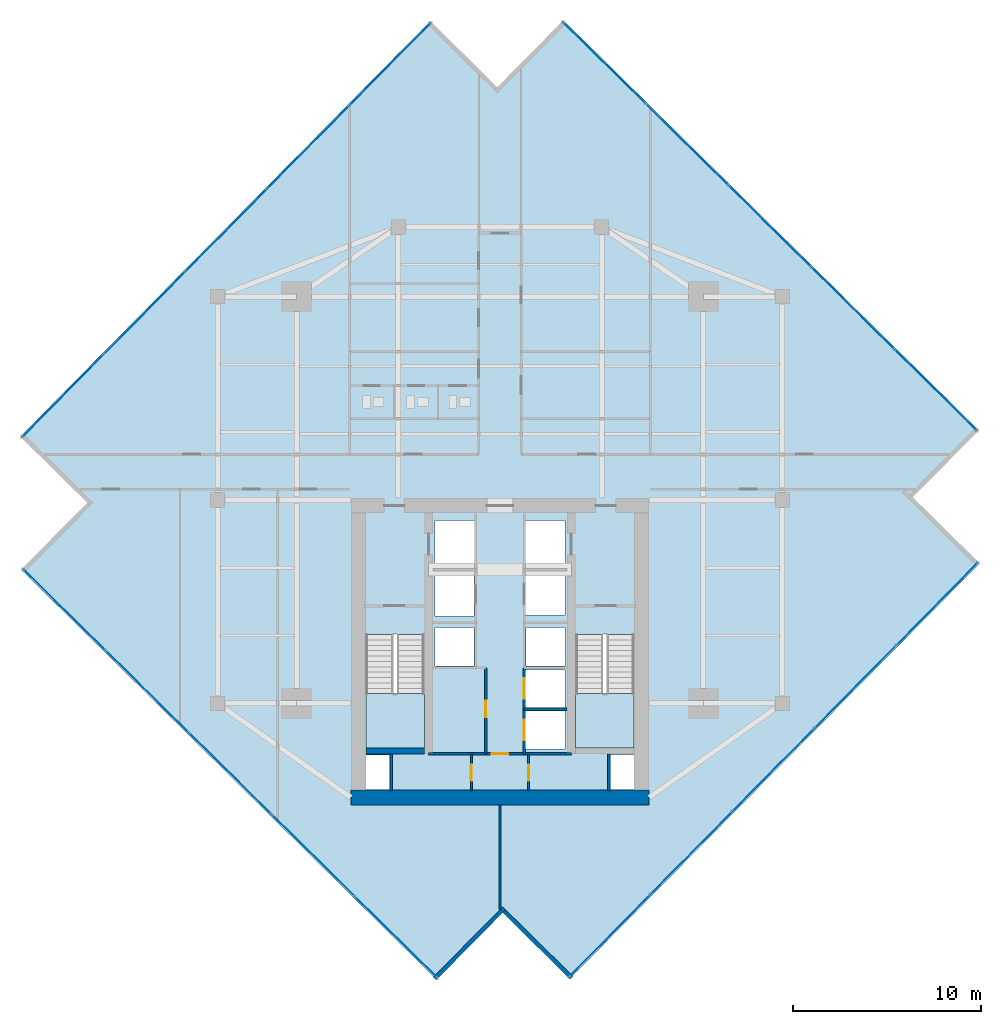
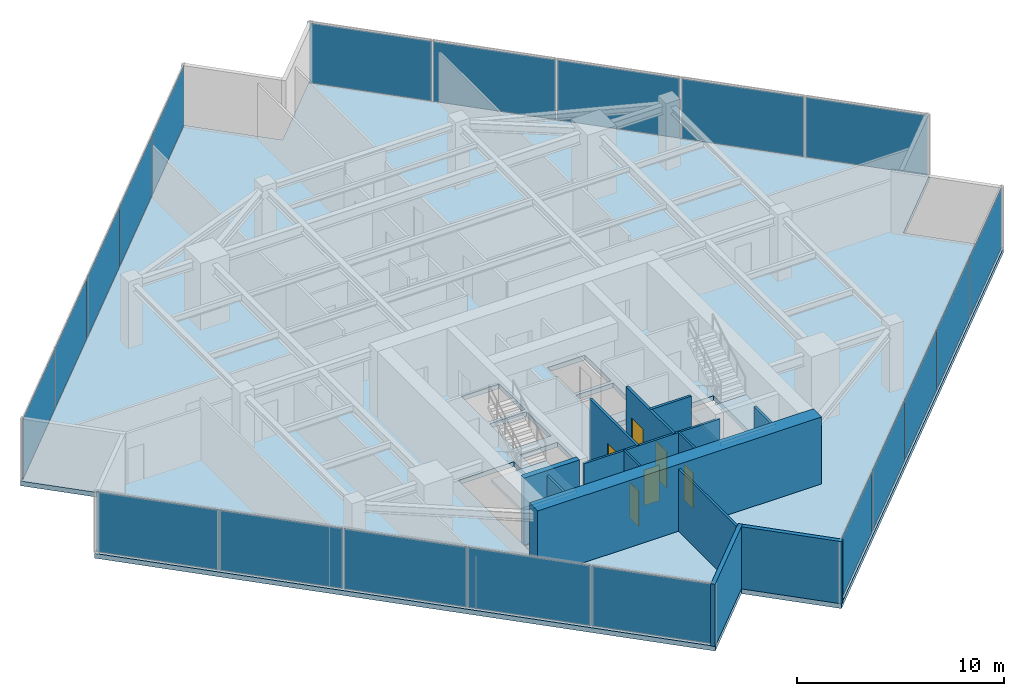
# One storey, part 20 of 24: 20 plates, 13 walls, 6 doors, 3 slabs, 6 openings, 6 elements without a shape of their own.
"""IFC4 building model written with IfcOpenShell, lengths in metres."""

import ifcopenshell
import ifcopenshell.guid

model = None  # the IFC model being written
_history = None  # IfcOwnerHistory: only IFC2X3 demands one
_inside = {}  # id of a spatial element -> (the spatial element, [elements in it])
_under = {}  # id of a project, library or spatial element -> (it, [spatial elements below it])
_declared = {}  # id of a project -> (the project, [libraries it declares])
_typed = {}  # id of a type object -> (the type object, [elements of that type])
_made_of = {}  # id of a material, layer set ... -> (it, [elements and type objects made of it])


def new_model(schema):
    """Start an empty IFC model of exactly this schema.

    Asked for "IFC4X3", IfcOpenShell would pick the latest addendum, in which some entities
    have other attributes; the version numbers below select the first issue.
    IFC2X3 requires an IfcOwnerHistory on every rooted entity: one is made here for all.
    """
    global model, _history
    if schema == "IFC4X3":
        model = ifcopenshell.file(schema_version=(4, 3, 0, 0))
    else:
        model = ifcopenshell.file(schema=schema)
    _inside.clear()
    _under.clear()
    _declared.clear()
    _typed.clear()
    _made_of.clear()
    _history = None
    if model.schema == "IFC2X3":
        org = make("IfcOrganization", Name="unknown")
        user = make(
            "IfcPersonAndOrganization",
            ThePerson=make("IfcPerson", FamilyName="unknown"),
            TheOrganization=org,
        )
        app = make(
            "IfcApplication",
            ApplicationDeveloper=org,
            Version="unknown",
            ApplicationFullName="unknown",
            ApplicationIdentifier="unknown",
        )
        _history = make(
            "IfcOwnerHistory",
            OwningUser=user,
            OwningApplication=app,
            ChangeAction="ADDED",
            CreationDate=0,
        )
    return model


def make(cls, **values):
    """One entity of the class cls with the attributes given. An attribute that is None is left unset."""
    return model.create_entity(
        cls, **{name: value for name, value in values.items() if value is not None}
    )


def rooted(cls, **values):
    """An entity with a GlobalId (a new one), such as an element, a storey or a relation."""
    return make(cls, GlobalId=ifcopenshell.guid.new(), OwnerHistory=_history, **values)


def si_unit(unit_type, name, prefix=None):
    """IfcSIUnit, for example si_unit("LENGTHUNIT", "METRE", prefix="MILLI")."""
    return make("IfcSIUnit", UnitType=unit_type, Prefix=prefix, Name=name)


def assignment(units):
    """IfcUnitAssignment: the units of a project."""
    return None if units is None else make("IfcUnitAssignment", Units=units)


def point(xyz):
    """IfcCartesianPoint."""
    return None if xyz is None else make("IfcCartesianPoint", Coordinates=xyz)


def direction(xyz):
    """IfcDirection."""
    return None if xyz is None else make("IfcDirection", DirectionRatios=xyz)


def frame(location, z_axis=None, x_axis=None):
    """IfcAxis2Placement3D, a coordinate frame: its origin and axes. An axis left out is left unset."""
    return make(
        "IfcAxis2Placement3D",
        Location=point(location),
        Axis=direction(z_axis),
        RefDirection=direction(x_axis),
    )


def frame_2d(location, x_axis=None):
    """IfcAxis2Placement2D, a coordinate frame in the plane: its origin and x axis."""
    return make(
        "IfcAxis2Placement2D", Location=point(location), RefDirection=direction(x_axis)
    )


def origin():
    """The frame at (0, 0, 0) with its axes left unset."""
    return frame((0.0, 0.0, 0.0))


def origin_2d():
    """The frame at (0, 0) in the plane with its x axis left unset."""
    return frame_2d((0.0, 0.0))


def place(relative_to, where):
    """IfcLocalPlacement: puts the frame where relative to a parent placement (None: the world)."""
    return make(
        "IfcLocalPlacement", PlacementRelTo=relative_to, RelativePlacement=where
    )


def context(
    kind, dimensions, precision=None, world=None, true_north=None, identifier=None
):
    """IfcGeometricRepresentationContext, for example the 3D "Model" context."""
    return make(
        "IfcGeometricRepresentationContext",
        ContextIdentifier=identifier,
        ContextType=kind,
        CoordinateSpaceDimension=dimensions,
        Precision=precision,
        WorldCoordinateSystem=world,
        TrueNorth=true_north,
    )


def subcontext(parent, identifier, kind, view, scale=None):
    """IfcGeometricRepresentationSubContext, for example "Body" below "Model"."""
    return make(
        "IfcGeometricRepresentationSubContext",
        ContextIdentifier=identifier,
        ContextType=kind,
        ParentContext=parent,
        TargetScale=scale,
        TargetView=view,
    )


def project(units=None, contexts=None):
    """IfcProject with its units and contexts."""
    return rooted(
        "IfcProject",
        Name="project",
        RepresentationContexts=contexts,
        UnitsInContext=assignment(units),
    )


def spatial(cls, under=None, at=None, **own):
    """A site, building, storey or space (cls), placed at a placement, below another one or the project."""
    s = rooted(cls, ObjectPlacement=at, **own)
    if under is not None:
        _under.setdefault(under.id(), (under, []))[1].append(s)
    return s


def polyline(points):
    """IfcPolyline through the points."""
    return make("IfcPolyline", Points=[point(p) for p in points])


def profile(cls, at=None, kind="AREA", **sizes):
    """A parametric profile (cls). Its sizes go by their IFC names, for example OverallWidth=200.0."""
    return make(cls, ProfileType=kind, Position=at, **sizes)


def rectangle(**sizes):
    """IfcRectangleProfileDef."""
    return profile("IfcRectangleProfileDef", **sizes)


def outline(outer, holes=None, kind="AREA"):
    """IfcArbitraryClosedProfileDef: a profile drawn as a closed curve; with holes, ...WithVoids."""
    if holes is None:
        return make("IfcArbitraryClosedProfileDef", ProfileType=kind, OuterCurve=outer)
    return make(
        "IfcArbitraryProfileDefWithVoids",
        ProfileType=kind,
        OuterCurve=outer,
        InnerCurves=holes,
    )


def extrude(swept, where, along, depth):
    """IfcExtrudedAreaSolid: the profile swept, set in the frame where, extruded along a direction by depth."""
    return make(
        "IfcExtrudedAreaSolid",
        SweptArea=swept,
        Position=where,
        ExtrudedDirection=direction(along),
        Depth=depth,
    )


def shape(context_of_items, identifier, shape_type, items):
    """IfcShapeRepresentation: the items that make up one representation, for example the "Body"."""
    return make(
        "IfcShapeRepresentation",
        ContextOfItems=context_of_items,
        RepresentationIdentifier=identifier,
        RepresentationType=shape_type,
        Items=items,
    )


def source(mapping_origin, context_of_items, identifier, shape_type, items):
    """IfcRepresentationMap: a shape defined once, which mapped items show again and again."""
    return make(
        "IfcRepresentationMap",
        MappingOrigin=mapping_origin,
        MappedRepresentation=shape(context_of_items, identifier, shape_type, items),
    )


def transform(
    local_origin,
    x_axis=None,
    y_axis=None,
    z_axis=None,
    scale=None,
    scale2=None,
    scale3=None,
    uniform=True,
):
    """IfcCartesianTransformationOperator3D, or its non-uniform kind. x_axis, y_axis, z_axis: its Axis1, 2, 3."""
    if uniform:
        return make(
            "IfcCartesianTransformationOperator3D",
            Axis1=direction(x_axis),
            Axis2=direction(y_axis),
            LocalOrigin=point(local_origin),
            Scale=scale,
            Axis3=direction(z_axis),
        )
    return make(
        "IfcCartesianTransformationOperator3DnonUniform",
        Axis1=direction(x_axis),
        Axis2=direction(y_axis),
        LocalOrigin=point(local_origin),
        Scale=scale,
        Axis3=direction(z_axis),
        Scale2=scale2,
        Scale3=scale3,
    )


def mapped(mapping_source, mapping_target):
    """IfcMappedItem: shows the shape of a source again, moved by a transform."""
    return make(
        "IfcMappedItem", MappingSource=mapping_source, MappingTarget=mapping_target
    )


def material(Name=None, Category=None):
    """IfcMaterial."""
    return make("IfcMaterial", Name=Name, Category=Category)


def layer(
    of_material, thickness, ventilated=None, Name=None, Category=None, Priority=None
):
    """IfcMaterialLayer: one layer of a wall or slab, of a material (None: an air gap)."""
    return make(
        "IfcMaterialLayer",
        Material=of_material,
        LayerThickness=thickness,
        IsVentilated=ventilated,
        Name=Name,
        Category=Category,
        Priority=Priority,
    )


def layer_set(layers, Name=None):
    """IfcMaterialLayerSet."""
    return make("IfcMaterialLayerSet", MaterialLayers=layers, LayerSetName=Name)


def made_of(thing, what):
    """Note that an element or type object is made of a material, layer set ...; save() writes the relation."""
    if what is not None:
        _made_of.setdefault(what.id(), (what, []))[1].append(thing)
    return thing


def type_object(cls, material=None, **own):
    """A type object (cls), such as IfcWallType, which elements share."""
    return made_of(rooted(cls, **own), material)


def type_shapes(of_type, sources):
    """Give a type object the sources (RepresentationMaps) that its elements show as mapped items."""
    of_type.RepresentationMaps = sources


def element(
    cls,
    number,
    at=None,
    inside=None,
    cuts=None,
    type_object=None,
    material=None,
    context=None,
    identifier="Body",
    shape_type=None,
    held_by="IfcProductDefinitionShape",
    body=None,
    shapes=None,
    **own,
):
    """One element of the class cls, such as IfcWall. Its Tag is "e" and its number.

    at: its placement. inside: the storey or other place that contains it. cuts: it is an
    opening in that element (IfcRelVoidsElement). A single representation is given by context,
    identifier, shape_type and body (its items); several are given by shapes. held_by: the class
    of the entity that holds the representations. save() writes the other relations.
    """
    e = rooted(cls, Tag="e%d" % number, ObjectPlacement=at, **own)
    if body is not None:
        shapes = [shape(context, identifier, shape_type, body)]
    if shapes is not None:
        e.Representation = make(held_by, Representations=shapes)
    if inside is not None:
        _inside.setdefault(inside.id(), (inside, []))[1].append(e)
    if cuts is not None:
        rooted(
            "IfcRelVoidsElement", RelatingBuildingElement=cuts, RelatedOpeningElement=e
        )
    if type_object is not None:
        _typed.setdefault(type_object.id(), (type_object, []))[1].append(e)
    return made_of(e, material)


def fill(opening, filler):
    """IfcRelFillsElement: the door or window that sits in an opening."""
    return rooted(
        "IfcRelFillsElement",
        RelatingOpeningElement=opening,
        RelatedBuildingElement=filler,
    )


def aggregate(whole, parts):
    """IfcRelAggregates: a whole, such as a stair, and the parts it consists of."""
    return rooted("IfcRelAggregates", RelatingObject=whole, RelatedObjects=parts)


def save(model, path):
    """Write the relations noted so far, then the file.

    IfcRelAggregates (storeys below a building ...), IfcRelContainedInSpatialStructure (elements
    in a storey), IfcRelDefinesByType, IfcRelAssociatesMaterial and IfcRelDeclares: one each for
    every whole, place, type object, material and project.
    """
    for whole, parts in _under.values():
        aggregate(whole, parts)
    for where, things in _inside.values():
        rooted(
            "IfcRelContainedInSpatialStructure",
            RelatedElements=things,
            RelatingStructure=where,
        )
    for kind, things in _typed.values():
        rooted("IfcRelDefinesByType", RelatedObjects=things, RelatingType=kind)
    for what, things in _made_of.values():
        rooted("IfcRelAssociatesMaterial", RelatedObjects=things, RelatingMaterial=what)
    for by, libraries in _declared.values():
        rooted("IfcRelDeclares", RelatingContext=by, RelatedDefinitions=libraries)
    model.write(path)


model = new_model("IFC4")

# Units and contexts
model_context = context("Model", 3, precision=1e-05, world=origin(), true_north=direction((0.0, 1.0)))
body_context = subcontext(model_context, "Body", "Model", "MODEL_VIEW")
ifc_project = project(units=[si_unit("LENGTHUNIT", "METRE"), si_unit("AREAUNIT", "SQUARE_METRE"), si_unit("VOLUMEUNIT", "CUBIC_METRE"), si_unit("PLANEANGLEUNIT", "RADIAN"), si_unit("MASSUNIT", "GRAM", prefix="KILO")], contexts=[model_context])

# Site, building, storey
site_placement = place(None, origin())
site = spatial("IfcSite", under=ifc_project, at=site_placement, CompositionType="ELEMENT")
building_placement = place(site_placement, origin())
building = spatial("IfcBuilding", under=site, at=building_placement, Name="Krantzveldt Concourse Tower", CompositionType="ELEMENT")
storey_placement = place(building_placement, frame((0.0, 0.0, 234.949951171875)))
storey = spatial("IfcBuildingStorey", under=building, at=storey_placement, Name="L57", CompositionType="ELEMENT", Elevation=234.949951171875)

# Stair, slab
ifc_material_1 = material(Name="Precast concrete C40/50", Category="concrete")
stair_type = type_object("IfcStairType", Name="STR-CORE-DOGLEG", PredefinedType="HALF_TURN_STAIR", material=ifc_material_1)
stair_1_placement = place(storey_placement, origin())
stair_1 = element("IfcStair", 1, at=stair_1_placement, inside=storey, type_object=stair_type, Name="L57 Protected Escape Stair ST-1", PredefinedType="HALF_TURN_STAIR")
ifc_layer_1 = layer(ifc_material_1, 0.199951171875, Name="Precast concrete C40/50", Category="concrete")
ifc_layer_set_1 = layer_set([ifc_layer_1], Name="Precast concrete C40/50 (SL-LANDING-200)")
slab_type_1 = type_object("IfcSlabType", Name="SL-LANDING-200", PredefinedType="LANDING", material=ifc_layer_set_1)
slab_1_placement = place(storey_placement, frame((0.0, 0.0, 1.775146484375)))
slab_1 = element("IfcSlab", 2, at=slab_1_placement, type_object=slab_type_1, Name="ST-1 landing 1", PredefinedType="LANDING", context=body_context, shape_type="SweptSolid", body=[
    extrude(outline(polyline([(28.8798828125, 16.4150390625), (28.8798828125, 13.52001953125), (31.97998046875, 13.52001953125), (31.97998046875, 16.4150390625), (28.8798828125, 16.4150390625)])), origin(), (0.0, 0.0, 1.0), 0.199951171875),
])
aggregate(stair_1, [slab_1])

stair_2_placement = place(storey_placement, origin())
stair_2 = element("IfcStair", 3, at=stair_2_placement, inside=storey, type_object=stair_type, Name="L57 Protected Escape Stair ST-2", PredefinedType="HALF_TURN_STAIR")
slab_2_placement = place(storey_placement, frame((0.0, 0.0, 1.775146484375)))
slab_2 = element("IfcSlab", 4, at=slab_2_placement, type_object=slab_type_1, Name="ST-2 landing 1", PredefinedType="LANDING", context=body_context, shape_type="SweptSolid", body=[
    extrude(outline(polyline([(40.02001953125, 16.4150390625), (40.02001953125, 13.52001953125), (43.1201171875, 13.52001953125), (43.1201171875, 16.4150390625), (40.02001953125, 16.4150390625)])), origin(), (0.0, 0.0, 1.0), 0.199951171875),
])
aggregate(stair_2, [slab_2])

# Slab
ifc_material_2 = material(Name="Concrete C40/50", Category="concrete")
ifc_layer_2 = layer(ifc_material_2, 0.280029296875, Name="Concrete C40/50", Category="concrete")
ifc_layer_set_2 = layer_set([ifc_layer_2], Name="Concrete C40/50 (SL-SL-TWR280)")
slab_type_2 = type_object("IfcSlabType", Name="SL-SL-TWR280", PredefinedType="FLOOR", material=ifc_layer_set_2)
slab_3_placement = place(storey_placement, frame((0.0, 0.0, -0.280029296875)))
element("IfcSlab", 5, at=slab_3_placement, inside=storey, type_object=slab_type_2, Name="SL-L57-MAIN", PredefinedType="FLOOR", context=body_context, shape_type="SweptSolid", body=[
    extrude(outline(polyline([(35.8564453125, 48.619873046875), (32.2978515625, 52.132080078125), (10.521484375, 30.06884765625), (14.080078125, 26.556640625), (10.56787109375, 22.998046875), (32.631103515625, 1.2216796875), (36.1435546875, 4.7802734375), (39.7021484375, 1.267822265625), (61.478515625, 23.3310546875), (57.919921875, 26.843505859375), (61.43212890625, 30.402099609375), (39.368896484375, 52.178466796875), (35.8564453125, 48.619873046875)]), holes=[polyline([(28.8798828125, 19.547607421875), (28.8798828125, 13.52001953125), (31.97998046875, 13.52001953125), (31.97998046875, 19.547607421875), (28.8798828125, 19.547607421875)]), polyline([(40.02001953125, 19.547607421875), (40.02001953125, 13.52001953125), (43.1201171875, 13.52001953125), (43.1201171875, 19.547607421875), (40.02001953125, 19.547607421875)]), polyline([(32.550048828125, 23.10009765625), (34.64990234375, 23.10009765625), (34.64990234375, 25.60009765625), (32.550048828125, 25.60009765625), (32.550048828125, 23.10009765625)]), polyline([(37.35009765625, 23.10009765625), (39.449951171875, 23.10009765625), (39.449951171875, 25.60009765625), (37.35009765625, 25.60009765625), (37.35009765625, 23.10009765625)]), polyline([(37.35009765625, 20.60009765625), (39.449951171875, 20.60009765625), (39.449951171875, 22.89990234375), (37.35009765625, 22.89990234375), (37.35009765625, 20.60009765625)]), polyline([(37.35009765625, 13.47998046875), (39.449951171875, 13.47998046875), (39.449951171875, 15.47998046875), (37.35009765625, 15.47998046875), (37.35009765625, 13.47998046875)]), polyline([(37.35009765625, 15.679931640625), (39.449951171875, 15.679931640625), (39.449951171875, 17.679931640625), (37.35009765625, 17.679931640625), (37.35009765625, 15.679931640625)]), polyline([(32.550048828125, 20.550048828125), (34.6201171875, 20.550048828125), (34.6201171875, 22.89990234375), (32.550048828125, 22.89990234375), (32.550048828125, 20.550048828125)]), polyline([(32.550048828125, 17.8798828125), (34.6201171875, 17.8798828125), (34.6201171875, 19.919921875), (32.550048828125, 19.919921875), (32.550048828125, 17.8798828125)]), polyline([(37.3798828125, 17.8798828125), (39.449951171875, 17.8798828125), (39.449951171875, 19.919921875), (37.3798828125, 19.919921875), (37.3798828125, 17.8798828125)]), polyline([(28.8798828125, 11.320068359375), (30.139892578125, 11.320068359375), (30.139892578125, 13.159912109375), (28.8798828125, 13.159912109375), (28.8798828125, 11.320068359375)]), polyline([(41.860107421875, 11.320068359375), (43.1201171875, 11.320068359375), (43.1201171875, 13.159912109375), (41.860107421875, 13.159912109375), (41.860107421875, 11.320068359375)])]), origin(), (0.0, 0.0, 1.0), 0.280029296875),
])

# Curtain wall, plates
ifc_material_3 = material(Name="Anodised aluminium 6063-T6", Category="aluminium")
curtain_wall_type = type_object("IfcCurtainWallType", Name="CW3", PredefinedType="USERDEFINED", material=ifc_material_3)
curtain_wall_1_placement = place(storey_placement, origin())
curtain_wall_1 = element("IfcCurtainWall", 6, at=curtain_wall_1_placement, inside=storey, type_object=curtain_wall_type, Name="CW-L57-F01", ObjectType="UNITISED CURTAIN WALL", PredefinedType="USERDEFINED")
ifc_material_4 = material(Name="Bronze-tinted laminated low-E IGU glass", Category="glass")
ifc_layer_3 = layer(ifc_material_4, 0.031982421875, Name="Bronze-tinted laminated low-E IGU glass", Category="glass")
ifc_layer_set_3 = layer_set([ifc_layer_3], Name="Bronze-tinted laminated low-E IGU glass (CW-GLZ-32)")
plate_type = type_object("IfcPlateType", Name="CW-GLZ-32", PredefinedType="CURTAIN_PANEL", material=ifc_layer_set_3)
shared_shape_1 = source(origin(), body_context, "Body", "SweptSolid", [
    extrude(rectangle(XDim=6.094970703125, YDim=0.031982421875, at=origin_2d()), origin(), (0.0, 0.0, 1.0), 3.530029296875),
])
plate_1_placement = place(storey_placement, frame((30.172119140625, 49.85009765625, 0.06982421875), z_axis=(0.0, 0.0, 1.0), x_axis=(-0.702463570854, -0.711719700179, 0.0)))
plate_1 = element("IfcPlate", 7, at=plate_1_placement, type_object=plate_type, Name="CW-Z34 panel 1.1", PredefinedType="CURTAIN_PANEL", context=body_context, shape_type="MappedRepresentation", body=[
    mapped(shared_shape_1, transform((0.0, 0.0, 0.0), x_axis=(1.0, 0.0, 0.0), y_axis=(0.0, 1.0, 0.0), z_axis=(0.0, 0.0, 1.0), scale=1.0)),
])
plate_2_placement = place(storey_placement, frame((12.775634765625, 32.224365234375, 0.06982421875), z_axis=(0.0, 0.0, 1.0), x_axis=(-0.702463570854, -0.711719700179, 0.0)))
plate_2 = element("IfcPlate", 8, at=plate_2_placement, type_object=plate_type, Name="CW-Z34 panel 5.1", PredefinedType="CURTAIN_PANEL", context=body_context, shape_type="MappedRepresentation", body=[
    mapped(shared_shape_1, transform((0.0, 0.0, 0.0), x_axis=(1.0, 0.0, 0.0), y_axis=(0.0, 1.0, 0.0), z_axis=(0.0, 0.0, 1.0), scale=1.0)),
])

curtain_wall_2_placement = place(storey_placement, origin())
curtain_wall_2 = element("IfcCurtainWall", 9, at=curtain_wall_2_placement, inside=storey, type_object=curtain_wall_type, Name="CW-L57-F04", ObjectType="UNITISED CURTAIN WALL", PredefinedType="USERDEFINED")
plate_3_placement = place(storey_placement, frame((12.849853515625, 20.8720703125, 0.06982421875), z_axis=(0.0, 0.0, 1.0), x_axis=(0.711719700179, -0.702463570854, 0.0)))
plate_3 = element("IfcPlate", 10, at=plate_3_placement, type_object=plate_type, Name="CW-Z34 panel 1.1", PredefinedType="CURTAIN_PANEL", context=body_context, shape_type="MappedRepresentation", body=[
    mapped(shared_shape_1, transform((0.0, 0.0, 0.0), x_axis=(1.0, 0.0, 0.0), y_axis=(0.0, 1.0, 0.0), z_axis=(0.0, 0.0, 1.0), scale=1.0)),
])
plate_4_placement = place(storey_placement, frame((30.4755859375, 3.4755859375, 0.06982421875), z_axis=(0.0, 0.0, 1.0), x_axis=(0.711719700179, -0.702463570854, 0.0)))
plate_4 = element("IfcPlate", 11, at=plate_4_placement, type_object=plate_type, Name="CW-Z34 panel 5.1", PredefinedType="CURTAIN_PANEL", context=body_context, shape_type="MappedRepresentation", body=[
    mapped(shared_shape_1, transform((0.0, 0.0, 0.0), x_axis=(1.0, 0.0, 0.0), y_axis=(0.0, 1.0, 0.0), z_axis=(0.0, 0.0, 1.0), scale=1.0)),
])

curtain_wall_3_placement = place(storey_placement, origin())
curtain_wall_3 = element("IfcCurtainWall", 12, at=curtain_wall_3_placement, inside=storey, type_object=curtain_wall_type, Name="CW-L57-F07", ObjectType="UNITISED CURTAIN WALL", PredefinedType="USERDEFINED")
plate_5_placement = place(storey_placement, frame((41.827880859375, 3.5498046875, 0.06982421875), z_axis=(0.0, 0.0, 1.0), x_axis=(0.702463570854, 0.711719700179, 0.0)))
plate_5 = element("IfcPlate", 13, at=plate_5_placement, type_object=plate_type, Name="CW-Z34 panel 1.1", PredefinedType="CURTAIN_PANEL", context=body_context, shape_type="MappedRepresentation", body=[
    mapped(shared_shape_1, transform((0.0, 0.0, 0.0), x_axis=(1.0, 0.0, 0.0), y_axis=(0.0, 1.0, 0.0), z_axis=(0.0, 0.0, 1.0), scale=1.0)),
])
plate_6_placement = place(storey_placement, frame((59.224365234375, 21.175537109375, 0.06982421875), z_axis=(0.0, 0.0, 1.0), x_axis=(0.702463570854, 0.711719700179, 0.0)))
plate_6 = element("IfcPlate", 14, at=plate_6_placement, type_object=plate_type, Name="CW-Z34 panel 5.1", PredefinedType="CURTAIN_PANEL", context=body_context, shape_type="MappedRepresentation", body=[
    mapped(shared_shape_1, transform((0.0, 0.0, 0.0), x_axis=(1.0, 0.0, 0.0), y_axis=(0.0, 1.0, 0.0), z_axis=(0.0, 0.0, 1.0), scale=1.0)),
])

curtain_wall_4_placement = place(storey_placement, origin())
curtain_wall_4 = element("IfcCurtainWall", 15, at=curtain_wall_4_placement, inside=storey, type_object=curtain_wall_type, Name="CW-L57-F10", ObjectType="UNITISED CURTAIN WALL", PredefinedType="USERDEFINED")
plate_7_placement = place(storey_placement, frame((59.150146484375, 32.52783203125, 0.06982421875), z_axis=(0.0, 0.0, 1.0), x_axis=(-0.711719700179, 0.702463570854, 0.0)))
plate_7 = element("IfcPlate", 16, at=plate_7_placement, type_object=plate_type, Name="CW-Z34 panel 1.1", PredefinedType="CURTAIN_PANEL", context=body_context, shape_type="MappedRepresentation", body=[
    mapped(shared_shape_1, transform((0.0, 0.0, 0.0), x_axis=(1.0, 0.0, 0.0), y_axis=(0.0, 1.0, 0.0), z_axis=(0.0, 0.0, 1.0), scale=1.0)),
])
plate_8_placement = place(storey_placement, frame((41.5244140625, 49.924560546875, 0.06982421875), z_axis=(0.0, 0.0, 1.0), x_axis=(-0.711719700179, 0.702463570854, 0.0)))
plate_8 = element("IfcPlate", 17, at=plate_8_placement, type_object=plate_type, Name="CW-Z34 panel 5.1", PredefinedType="CURTAIN_PANEL", context=body_context, shape_type="MappedRepresentation", body=[
    mapped(shared_shape_1, transform((0.0, 0.0, 0.0), x_axis=(1.0, 0.0, 0.0), y_axis=(0.0, 1.0, 0.0), z_axis=(0.0, 0.0, 1.0), scale=1.0)),
])

# Plate
shared_shape_2 = source(origin(), body_context, "Body", "SweptSolid", [
    extrude(rectangle(XDim=6.1298828125, YDim=0.031982421875, at=origin_2d()), origin(), (0.0, 0.0, 1.0), 3.530029296875),
])
type_shapes(plate_type, [shared_shape_1, shared_shape_2])
plate_9_placement = place(storey_placement, frame((25.8291015625, 45.449951171875, 0.06982421875), z_axis=(0.0, 0.0, 1.0), x_axis=(-0.702463570854, -0.711719700179, 0.0)))
plate_9 = element("IfcPlate", 18, at=plate_9_placement, type_object=plate_type, Name="CW-Z34 panel 2.1", PredefinedType="CURTAIN_PANEL", context=body_context, shape_type="MappedRepresentation", body=[
    mapped(shared_shape_2, transform((0.0, 0.0, 0.0), x_axis=(1.0, 0.0, 0.0), y_axis=(0.0, 1.0, 0.0), z_axis=(0.0, 0.0, 1.0), scale=1.0)),
])

plate_10_placement = place(storey_placement, frame((21.473876953125, 41.037353515625, 0.06982421875), z_axis=(0.0, 0.0, 1.0), x_axis=(-0.702463570854, -0.711719700179, 0.0)))
plate_10 = element("IfcPlate", 19, at=plate_10_placement, type_object=plate_type, Name="CW-Z34 panel 3.1", PredefinedType="CURTAIN_PANEL", context=body_context, shape_type="MappedRepresentation", body=[
    mapped(shared_shape_2, transform((0.0, 0.0, 0.0), x_axis=(1.0, 0.0, 0.0), y_axis=(0.0, 1.0, 0.0), z_axis=(0.0, 0.0, 1.0), scale=1.0)),
])

plate_11_placement = place(storey_placement, frame((17.118408203125, 36.62451171875, 0.06982421875), z_axis=(0.0, 0.0, 1.0), x_axis=(-0.702463570854, -0.711719700179, 0.0)))
plate_11 = element("IfcPlate", 20, at=plate_11_placement, type_object=plate_type, Name="CW-Z34 panel 4.1", PredefinedType="CURTAIN_PANEL", context=body_context, shape_type="MappedRepresentation", body=[
    mapped(shared_shape_2, transform((0.0, 0.0, 0.0), x_axis=(1.0, 0.0, 0.0), y_axis=(0.0, 1.0, 0.0), z_axis=(0.0, 0.0, 1.0), scale=1.0)),
])

aggregate(curtain_wall_1, [plate_1, plate_9, plate_10, plate_11, plate_2])

plate_12_placement = place(storey_placement, frame((17.25, 16.529052734375, 0.06982421875), z_axis=(0.0, 0.0, 1.0), x_axis=(0.711719700179, -0.702463570854, 0.0)))
plate_12 = element("IfcPlate", 21, at=plate_12_placement, type_object=plate_type, Name="CW-Z34 panel 2.1", PredefinedType="CURTAIN_PANEL", context=body_context, shape_type="MappedRepresentation", body=[
    mapped(shared_shape_2, transform((0.0, 0.0, 0.0), x_axis=(1.0, 0.0, 0.0), y_axis=(0.0, 1.0, 0.0), z_axis=(0.0, 0.0, 1.0), scale=1.0)),
])

plate_13_placement = place(storey_placement, frame((21.66259765625, 12.173828125, 0.06982421875), z_axis=(0.0, 0.0, 1.0), x_axis=(0.711719700179, -0.702463570854, 0.0)))
plate_13 = element("IfcPlate", 22, at=plate_13_placement, type_object=plate_type, Name="CW-Z34 panel 3.1", PredefinedType="CURTAIN_PANEL", context=body_context, shape_type="MappedRepresentation", body=[
    mapped(shared_shape_2, transform((0.0, 0.0, 0.0), x_axis=(1.0, 0.0, 0.0), y_axis=(0.0, 1.0, 0.0), z_axis=(0.0, 0.0, 1.0), scale=1.0)),
])

plate_14_placement = place(storey_placement, frame((26.075439453125, 7.818603515625, 0.06982421875), z_axis=(0.0, 0.0, 1.0), x_axis=(0.711719700179, -0.702463570854, 0.0)))
plate_14 = element("IfcPlate", 23, at=plate_14_placement, type_object=plate_type, Name="CW-Z34 panel 4.1", PredefinedType="CURTAIN_PANEL", context=body_context, shape_type="MappedRepresentation", body=[
    mapped(shared_shape_2, transform((0.0, 0.0, 0.0), x_axis=(1.0, 0.0, 0.0), y_axis=(0.0, 1.0, 0.0), z_axis=(0.0, 0.0, 1.0), scale=1.0)),
])

aggregate(curtain_wall_2, [plate_3, plate_12, plate_13, plate_14, plate_4])

plate_15_placement = place(storey_placement, frame((46.1708984375, 7.949951171875, 0.06982421875), z_axis=(0.0, 0.0, 1.0), x_axis=(0.702463570854, 0.711719700179, 0.0)))
plate_15 = element("IfcPlate", 24, at=plate_15_placement, type_object=plate_type, Name="CW-Z34 panel 2.1", PredefinedType="CURTAIN_PANEL", context=body_context, shape_type="MappedRepresentation", body=[
    mapped(shared_shape_2, transform((0.0, 0.0, 0.0), x_axis=(1.0, 0.0, 0.0), y_axis=(0.0, 1.0, 0.0), z_axis=(0.0, 0.0, 1.0), scale=1.0)),
])

plate_16_placement = place(storey_placement, frame((50.526123046875, 12.36279296875, 0.06982421875), z_axis=(0.0, 0.0, 1.0), x_axis=(0.702463570854, 0.711719700179, 0.0)))
plate_16 = element("IfcPlate", 25, at=plate_16_placement, type_object=plate_type, Name="CW-Z34 panel 3.1", PredefinedType="CURTAIN_PANEL", context=body_context, shape_type="MappedRepresentation", body=[
    mapped(shared_shape_2, transform((0.0, 0.0, 0.0), x_axis=(1.0, 0.0, 0.0), y_axis=(0.0, 1.0, 0.0), z_axis=(0.0, 0.0, 1.0), scale=1.0)),
])

plate_17_placement = place(storey_placement, frame((54.881591796875, 16.775390625, 0.06982421875), z_axis=(0.0, 0.0, 1.0), x_axis=(0.702463570854, 0.711719700179, 0.0)))
plate_17 = element("IfcPlate", 26, at=plate_17_placement, type_object=plate_type, Name="CW-Z34 panel 4.1", PredefinedType="CURTAIN_PANEL", context=body_context, shape_type="MappedRepresentation", body=[
    mapped(shared_shape_2, transform((0.0, 0.0, 0.0), x_axis=(1.0, 0.0, 0.0), y_axis=(0.0, 1.0, 0.0), z_axis=(0.0, 0.0, 1.0), scale=1.0)),
])

aggregate(curtain_wall_3, [plate_5, plate_15, plate_16, plate_17, plate_6])

plate_18_placement = place(storey_placement, frame((54.75, 36.870849609375, 0.06982421875), z_axis=(0.0, 0.0, 1.0), x_axis=(-0.711719700179, 0.702463570854, 0.0)))
plate_18 = element("IfcPlate", 27, at=plate_18_placement, type_object=plate_type, Name="CW-Z34 panel 2.1", PredefinedType="CURTAIN_PANEL", context=body_context, shape_type="MappedRepresentation", body=[
    mapped(shared_shape_2, transform((0.0, 0.0, 0.0), x_axis=(1.0, 0.0, 0.0), y_axis=(0.0, 1.0, 0.0), z_axis=(0.0, 0.0, 1.0), scale=1.0)),
])

plate_19_placement = place(storey_placement, frame((50.33740234375, 41.226318359375, 0.06982421875), z_axis=(0.0, 0.0, 1.0), x_axis=(-0.711719700179, 0.702463570854, 0.0)))
plate_19 = element("IfcPlate", 28, at=plate_19_placement, type_object=plate_type, Name="CW-Z34 panel 3.1", PredefinedType="CURTAIN_PANEL", context=body_context, shape_type="MappedRepresentation", body=[
    mapped(shared_shape_2, transform((0.0, 0.0, 0.0), x_axis=(1.0, 0.0, 0.0), y_axis=(0.0, 1.0, 0.0), z_axis=(0.0, 0.0, 1.0), scale=1.0)),
])

plate_20_placement = place(storey_placement, frame((45.924560546875, 45.58154296875, 0.06982421875), z_axis=(0.0, 0.0, 1.0), x_axis=(-0.711719700179, 0.702463570854, 0.0)))
plate_20 = element("IfcPlate", 29, at=plate_20_placement, type_object=plate_type, Name="CW-Z34 panel 4.1", PredefinedType="CURTAIN_PANEL", context=body_context, shape_type="MappedRepresentation", body=[
    mapped(shared_shape_2, transform((0.0, 0.0, 0.0), x_axis=(1.0, 0.0, 0.0), y_axis=(0.0, 1.0, 0.0), z_axis=(0.0, 0.0, 1.0), scale=1.0)),
])

aggregate(curtain_wall_4, [plate_7, plate_18, plate_19, plate_20, plate_8])

# Walls
ifc_layer_4 = layer(ifc_material_3, 0.219970703125, Name="Anodised aluminium 6063-T6", Category="aluminium")
ifc_layer_set_4 = layer_set([ifc_layer_4], Name="Anodised aluminium 6063-T6 (WL-EXT-NOTCH220)")
wall_type_1 = type_object("IfcWallType", Name="WL-EXT-NOTCH220", PredefinedType="ELEMENTEDWALL", material=ifc_layer_set_4)
wall_1_placement = place(storey_placement, frame((32.535400390625, 1.281005859375, 0.0), z_axis=(0.0, 0.0, 1.0), x_axis=(0.702460059039, 0.711723166305, 0.0)))
element("IfcWall", 30, at=wall_1_placement, inside=storey, type_object=wall_type_1, Name="EW-L57-NCH05", PredefinedType="ELEMENTEDWALL", context=body_context, shape_type="SweptSolid", body=[
    extrude(rectangle(XDim=5.244873046875, YDim=0.219970703125, at=frame_2d((2.62255859375, 0.0))), origin(), (0.0, 0.0, 1.0), 3.670166015625),
])
wall_2_placement = place(storey_placement, frame((36.220703125, 4.8583984375, 0.0), z_axis=(0.0, 0.0, 1.0), x_axis=(0.711731489292, -0.702451626199, 0.0)))
element("IfcWall", 31, at=wall_2_placement, inside=storey, type_object=wall_type_1, Name="EW-L57-NCH06", PredefinedType="ELEMENTEDWALL", context=body_context, shape_type="SweptSolid", body=[
    extrude(rectangle(XDim=5.02490234375, YDim=0.219970703125, at=frame_2d((2.512451171875, 0.0))), origin(), (0.0, 0.0, 1.0), 3.670166015625),
])

# Wall, opening, door
ifc_material_5 = material(Name="Fire-rated gypsum plasterboard on steel stud", Category="steel")
ifc_layer_5 = layer(ifc_material_5, 0.1201171875, Name="Fire-rated gypsum plasterboard on steel stud", Category="steel")
ifc_layer_set_5 = layer_set([ifc_layer_5], Name="Fire-rated gypsum plasterboard on steel stud (WL-PART-120)")
wall_type_2 = type_object("IfcWallType", Name="WL-PART-120", PredefinedType="PARTITIONING", material=ifc_layer_set_5)
wall_3_placement = place(storey_placement, frame((32.2099609375, 13.219970703125, 0.0), z_axis=(0.0, 0.0, 1.0), x_axis=(1.0, 0.0, 0.0)))
wall_3 = element("IfcWall", 32, at=wall_3_placement, inside=storey, type_object=wall_type_2, Name="WP-L57-CS2H", PredefinedType="PARTITIONING", context=body_context, shape_type="SweptSolid", body=[
    extrude(rectangle(XDim=7.580078125, YDim=0.1201171875, at=frame_2d((3.7900390625, 0.0))), origin(), (0.0, 0.0, 1.0), 3.670166015625),
])
opening_1_placement = place(wall_3_placement, frame((3.364990234375, 0.0, 0.0)))
opening_1 = element("IfcOpeningElement", 33, at=opening_1_placement, cuts=wall_3, Name="Opening D-IN085", PredefinedType="OPENING", context=body_context, shape_type="SweptSolid", body=[
    extrude(rectangle(XDim=0.85009765625, YDim=2.10009765625, at=frame_2d((0.425048828125, 1.050048828125))), frame((0.0, 0.070068359375, 0.0), z_axis=(0.0, -1.0, 0.0), x_axis=(1.0, 0.0, 0.0)), (0.0, 0.0, 1.0), 0.14013671875),
])
ifc_material_6 = material(Name="Hardwood timber", Category="wood")
door_type_1 = type_object("IfcDoorType", Name="DR-INT-850", OperationType="SINGLE_SWING_LEFT", PredefinedType="DOOR", material=ifc_material_6)
door_1_placement = place(opening_1_placement, origin())
door_1 = element("IfcDoor", 34, at=door_1_placement, inside=storey, type_object=door_type_1, Name="DR-L57-LLBS", OperationType="SINGLE_SWING_RIGHT", OverallHeight=2.10009765625, OverallWidth=0.85009765625, PredefinedType="DOOR", context=body_context, shape_type="SweptSolid", body=[
    extrude(rectangle(XDim=0.85009765625, YDim=2.10009765625, at=frame_2d((0.425048828125, 1.050048828125))), frame((0.0, 0.02490234375, 0.0), z_axis=(0.0, -1.0, 0.0), x_axis=(1.0, 0.0, 0.0)), (0.0, 0.0, 1.0), 0.050048828125),
])
fill(opening_1, door_1)

wall_4_placement = place(storey_placement, frame((34.47998046875, 11.25, 0.0), z_axis=(0.0, 0.0, 1.0), x_axis=(0.0, 1.0, 0.0)))
wall_4 = element("IfcWall", 35, at=wall_4_placement, inside=storey, type_object=wall_type_2, Name="WP-L57-CSB-VL", PredefinedType="PARTITIONING", context=body_context, shape_type="SweptSolid", body=[
    extrude(rectangle(XDim=1.969970703125, YDim=0.1201171875, at=frame_2d((0.98486328125, 0.0))), origin(), (0.0, 0.0, 1.0), 3.670166015625),
])
opening_2_placement = place(wall_4_placement, frame((0.544921875, 0.0, 0.0)))
opening_2 = element("IfcOpeningElement", 36, at=opening_2_placement, cuts=wall_4, Name="Opening D-IN085", PredefinedType="OPENING", context=body_context, shape_type="SweptSolid", body=[
    extrude(rectangle(XDim=0.85009765625, YDim=2.10009765625, at=frame_2d((0.425048828125, 1.050048828125))), frame((0.0, 0.070068359375, 0.0), z_axis=(0.0, -1.0, 0.0), x_axis=(1.0, 0.0, 0.0)), (0.0, 0.0, 1.0), 0.14013671875),
])
door_2_placement = place(opening_2_placement, origin())
door_2 = element("IfcDoor", 37, at=door_2_placement, inside=storey, type_object=door_type_1, Name="DR-L57-CSB1", OperationType="SINGLE_SWING_LEFT", OverallHeight=2.10009765625, OverallWidth=0.85009765625, PredefinedType="DOOR", context=body_context, shape_type="SweptSolid", body=[
    extrude(rectangle(XDim=0.85009765625, YDim=2.10009765625, at=frame_2d((0.425048828125, 1.050048828125))), frame((0.0, 0.02490234375, 0.0), z_axis=(0.0, -1.0, 0.0), x_axis=(1.0, 0.0, 0.0)), (0.0, 0.0, 1.0), 0.050048828125),
])
fill(opening_2, door_2)

wall_5_placement = place(storey_placement, frame((37.52001953125, 11.25, 0.0), z_axis=(0.0, 0.0, 1.0), x_axis=(0.0, 1.0, 0.0)))
wall_5 = element("IfcWall", 38, at=wall_5_placement, inside=storey, type_object=wall_type_2, Name="WP-L57-CSB-VR", PredefinedType="PARTITIONING", context=body_context, shape_type="SweptSolid", body=[
    extrude(rectangle(XDim=1.969970703125, YDim=0.1201171875, at=frame_2d((0.98486328125, 0.0))), origin(), (0.0, 0.0, 1.0), 3.670166015625),
])
opening_3_placement = place(wall_5_placement, frame((0.544921875, 0.0, 0.0)))
opening_3 = element("IfcOpeningElement", 39, at=opening_3_placement, cuts=wall_5, Name="Opening D-IN085", PredefinedType="OPENING", context=body_context, shape_type="SweptSolid", body=[
    extrude(rectangle(XDim=0.85009765625, YDim=2.10009765625, at=frame_2d((0.425048828125, 1.050048828125))), frame((0.0, 0.070068359375, 0.0), z_axis=(0.0, -1.0, 0.0), x_axis=(1.0, 0.0, 0.0)), (0.0, 0.0, 1.0), 0.14013671875),
])
door_3_placement = place(opening_3_placement, origin())
door_3 = element("IfcDoor", 40, at=door_3_placement, inside=storey, type_object=door_type_1, Name="DR-L57-CSB2", OperationType="SINGLE_SWING_RIGHT", OverallHeight=2.10009765625, OverallWidth=0.85009765625, PredefinedType="DOOR", context=body_context, shape_type="SweptSolid", body=[
    extrude(rectangle(XDim=0.85009765625, YDim=2.10009765625, at=frame_2d((0.425048828125, 1.050048828125))), frame((0.0, 0.02490234375, 0.0), z_axis=(0.0, -1.0, 0.0), x_axis=(1.0, 0.0, 0.0)), (0.0, 0.0, 1.0), 0.050048828125),
])
fill(opening_3, door_3)

# Wall
wall_6_placement = place(storey_placement, frame((36.0, 4.955078125, 0.0), z_axis=(0.0, 0.0, 1.0), x_axis=(0.0, 1.0, 0.0)))
element("IfcWall", 41, at=wall_6_placement, inside=storey, type_object=wall_type_2, Name="WP-L57-SMID", PredefinedType="PARTITIONING", context=body_context, shape_type="SweptSolid", body=[
    extrude(rectangle(XDim=5.544921875, YDim=0.1201171875, at=frame_2d((2.7724609375, 0.0))), origin(), (0.0, 0.0, 1.0), 3.670166015625),
])

# Wall, opening, door
ifc_layer_6 = layer(ifc_material_5, 0.139892578125, Name="Fire-rated gypsum plasterboard on steel stud", Category="steel")
ifc_layer_set_6 = layer_set([ifc_layer_6], Name="Fire-rated gypsum plasterboard on steel stud (WL-PART-FR140)")
wall_type_3 = type_object("IfcWallType", Name="WL-PART-FR140", PredefinedType="PARTITIONING", material=ifc_layer_set_6)
wall_7_placement = place(storey_placement, frame((35.25, 13.219970703125, 0.0), z_axis=(0.0, 0.0, 1.0), x_axis=(0.0, 1.0, 0.0)))
wall_7 = element("IfcWall", 42, at=wall_7_placement, inside=storey, type_object=wall_type_3, Name="WP-L57-RECW", PredefinedType="PARTITIONING", context=body_context, shape_type="SweptSolid", body=[
    extrude(rectangle(XDim=4.56005859375, YDim=0.139892578125, at=frame_2d((2.280029296875, 0.0))), origin(), (0.0, 0.0, 1.0), 3.670166015625),
])
opening_4_placement = place(wall_7_placement, frame((1.929931640625, 0.0, 0.0)))
opening_4 = element("IfcOpeningElement", 43, at=opening_4_placement, cuts=wall_7, Name="Opening D-FD090", PredefinedType="OPENING", context=body_context, shape_type="SweptSolid", body=[
    extrude(rectangle(XDim=0.89990234375, YDim=2.10009765625, at=frame_2d((0.449951171875, 1.050048828125))), frame((0.0, 0.080078125, 0.0), z_axis=(0.0, -1.0, 0.0), x_axis=(1.0, 0.0, 0.0)), (0.0, 0.0, 1.0), 0.159912109375),
])
door_type_2 = type_object("IfcDoorType", Name="DR-FD60-900", OperationType="SINGLE_SWING_LEFT", PredefinedType="DOOR", material=ifc_material_6)
door_4_placement = place(opening_4_placement, origin())
door_4 = element("IfcDoor", 44, at=door_4_placement, inside=storey, type_object=door_type_2, Name="DR-L57-RECW", OperationType="SINGLE_SWING_LEFT", OverallHeight=2.10009765625, OverallWidth=0.89990234375, PredefinedType="DOOR", context=body_context, shape_type="SweptSolid", body=[
    extrude(rectangle(XDim=0.89990234375, YDim=2.10009765625, at=frame_2d((0.449951171875, 1.050048828125))), frame((0.0, 0.02490234375, 0.0), z_axis=(0.0, -1.0, 0.0), x_axis=(1.0, 0.0, 0.0)), (0.0, 0.0, 1.0), 0.050048828125),
])
fill(opening_4, door_4)

# Wall, openings, doors
wall_8_placement = place(storey_placement, frame((37.280029296875, 13.219970703125, 0.0), z_axis=(0.0, 0.0, 1.0), x_axis=(0.0, 1.0, 0.0)))
wall_8 = element("IfcWall", 45, at=wall_8_placement, inside=storey, type_object=wall_type_3, Name="WP-L57-SHSE", PredefinedType="PARTITIONING", context=body_context, shape_type="SweptSolid", body=[
    extrude(rectangle(XDim=4.56005859375, YDim=0.139892578125, at=frame_2d((2.280029296875, 0.0))), origin(), (0.0, 0.0, 1.0), 3.670166015625),
])
opening_5_placement = place(wall_8_placement, frame((0.7099609375, 0.0, 0.0)))
opening_5 = element("IfcOpeningElement", 46, at=opening_5_placement, cuts=wall_8, Name="Opening LD", PredefinedType="OPENING", context=body_context, shape_type="SweptSolid", body=[
    extrude(rectangle(XDim=1.10009765625, YDim=2.14990234375, at=frame_2d((0.550048828125, 1.074951171875))), frame((0.0, 0.080078125, 0.0), z_axis=(0.0, -1.0, 0.0), x_axis=(1.0, 0.0, 0.0)), (0.0, 0.0, 1.0), 0.159912109375),
])
opening_6_placement = place(wall_8_placement, frame((2.909912109375, 0.0, 0.0)))
opening_6 = element("IfcOpeningElement", 47, at=opening_6_placement, cuts=wall_8, Name="Opening LD", PredefinedType="OPENING", context=body_context, shape_type="SweptSolid", body=[
    extrude(rectangle(XDim=1.10009765625, YDim=2.14990234375, at=frame_2d((0.550048828125, 1.074951171875))), frame((0.0, 0.080078125, 0.0), z_axis=(0.0, -1.0, 0.0), x_axis=(1.0, 0.0, 0.0)), (0.0, 0.0, 1.0), 0.159912109375),
])
ifc_material_7 = material(Name="Stainless steel 316L", Category="steel")
door_type_3 = type_object("IfcDoorType", Name="DR-SLIDE-LD1100", OperationType="DOUBLE_DOOR_SLIDING", PredefinedType="DOOR", material=ifc_material_7)
door_5_placement = place(opening_5_placement, origin())
door_5 = element("IfcDoor", 48, at=door_5_placement, inside=storey, type_object=door_type_3, Name="LD-L57-PM1", OperationType="DOUBLE_DOOR_SLIDING", OverallHeight=2.14990234375, OverallWidth=1.10009765625, PredefinedType="DOOR", context=body_context, shape_type="SweptSolid", body=[
    extrude(rectangle(XDim=1.10009765625, YDim=2.14990234375, at=frame_2d((0.550048828125, 1.074951171875))), frame((0.0, 0.02490234375, 0.0), z_axis=(0.0, -1.0, 0.0), x_axis=(1.0, 0.0, 0.0)), (0.0, 0.0, 1.0), 0.050048828125),
])
fill(opening_5, door_5)
door_6_placement = place(opening_6_placement, origin())
door_6 = element("IfcDoor", 49, at=door_6_placement, inside=storey, type_object=door_type_3, Name="LD-L57-PM2", OperationType="DOUBLE_DOOR_SLIDING", OverallHeight=2.14990234375, OverallWidth=1.10009765625, PredefinedType="DOOR", context=body_context, shape_type="SweptSolid", body=[
    extrude(rectangle(XDim=1.10009765625, YDim=2.14990234375, at=frame_2d((0.550048828125, 1.074951171875))), frame((0.0, 0.02490234375, 0.0), z_axis=(0.0, -1.0, 0.0), x_axis=(1.0, 0.0, 0.0)), (0.0, 0.0, 1.0), 0.050048828125),
])
fill(opening_6, door_6)

# Walls
wall_9_placement = place(storey_placement, frame((37.280029296875, 15.580078125, 0.0), z_axis=(0.0, 0.0, 1.0), x_axis=(1.0, 0.0, 0.0)))
element("IfcWall", 50, at=wall_9_placement, inside=storey, type_object=wall_type_3, Name="WP-L57-DIVE1", PredefinedType="PARTITIONING", context=body_context, shape_type="SweptSolid", body=[
    extrude(rectangle(XDim=2.27001953125, YDim=0.139892578125, at=frame_2d((1.135009765625, 0.0))), origin(), (0.0, 0.0, 1.0), 3.670166015625),
])
for number, where, z_axis, x_axis, name in (
    (51, (30.219970703125, 11.25, 0.0), (0.0, 0.0, 1.0), (0.0, 1.0, 0.0), "WP-L57-RSW"),
    (52, (41.780029296875, 11.25, 0.0), (0.0, 0.0, 1.0), (0.0, 1.0, 0.0), "WP-L57-RSE"),
):
    element("IfcWall", number, at=place(storey_placement, frame(where, z_axis=z_axis, x_axis=x_axis)), inside=storey, type_object=wall_type_3, Name=name, PredefinedType="PARTITIONING", context=body_context, shape_type="SweptSolid", body=[
        extrude(rectangle(XDim=1.969970703125, YDim=0.1201171875, at=frame_2d((0.98486328125, 0.0))), origin(), (0.0, 0.0, 1.0), 3.670166015625),
    ])
ifc_material_8 = material(Name="Concrete C50/60", Category="concrete")
ifc_layer_7 = layer(ifc_material_8, 0.300048828125, Name="Concrete C50/60", Category="concrete")
ifc_layer_set_7 = layer_set([ifc_layer_7], Name="Concrete C50/60 (WL-SHEAR-300)")
wall_type_4 = type_object("IfcWallType", Name="WL-SHEAR-300", PredefinedType="SHEAR", material=ifc_layer_set_7)
wall_10_placement = place(storey_placement, frame((28.8798828125, 13.3701171875, 0.0), z_axis=(0.0, 0.0, 1.0), x_axis=(1.0, 0.0, 0.0)))
element("IfcWall", 53, at=wall_10_placement, inside=storey, type_object=wall_type_4, Name="CW-L57-ST1S", PredefinedType="SHEAR", context=body_context, shape_type="SweptSolid", body=[
    extrude(rectangle(XDim=3.10009765625, YDim=0.300048828125, at=frame_2d((1.550048828125, 0.0))), origin(), (0.0, 0.0, 1.0), 3.949951171875),
])
ifc_material_9 = material(Name="Concrete C60/75", Category="concrete")
ifc_layer_8 = layer(ifc_material_9, 0.800048828125, Name="Concrete C60/75", Category="concrete")
ifc_layer_set_8 = layer_set([ifc_layer_8], Name="Concrete C60/75 (WL-SHEAR-800)")
wall_type_5 = type_object("IfcWallType", Name="WL-SHEAR-800", PredefinedType="SHEAR", material=ifc_layer_set_8)
wall_11_placement = place(storey_placement, frame((28.080078125, 10.89990234375, 0.0), z_axis=(0.0, 0.0, 1.0), x_axis=(1.0, 0.0, 0.0)))
element("IfcWall", 54, at=wall_11_placement, inside=storey, type_object=wall_type_5, Name="CW-L57-S", PredefinedType="SHEAR", context=body_context, shape_type="SweptSolid", body=[
    extrude(rectangle(XDim=15.83984375, YDim=0.800048828125, at=frame_2d((7.919921875, 0.0))), origin(), (0.0, 0.0, 1.0), 3.949951171875),
])

save(model, "model.ifc")
